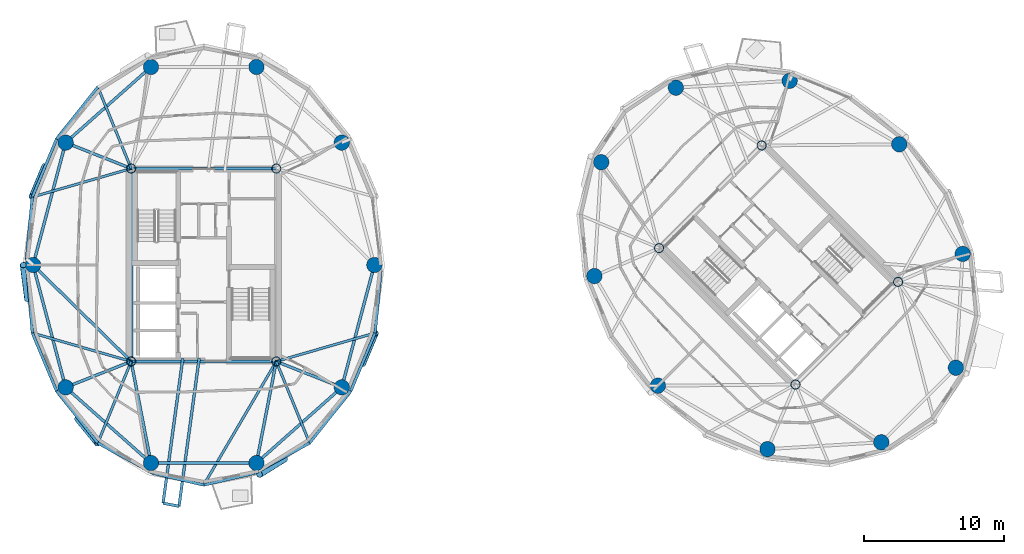
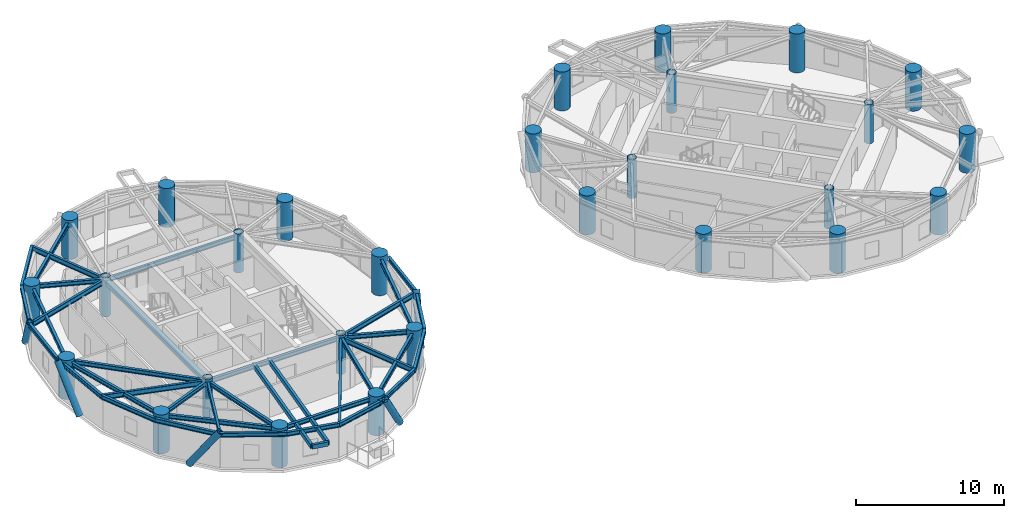
# One storey, part 1 of 17: 39 beams, 28 columns, 5 members.
"""IFC4 building model written with IfcOpenShell, lengths in metres."""

import ifcopenshell
import ifcopenshell.guid

model = None  # the IFC model being written
_history = None  # IfcOwnerHistory: only IFC2X3 demands one
_inside = {}  # id of a spatial element -> (the spatial element, [elements in it])
_under = {}  # id of a project, library or spatial element -> (it, [spatial elements below it])
_declared = {}  # id of a project -> (the project, [libraries it declares])
_typed = {}  # id of a type object -> (the type object, [elements of that type])
_made_of = {}  # id of a material, layer set ... -> (it, [elements and type objects made of it])


def new_model(schema):
    """Start an empty IFC model of exactly this schema.

    Asked for "IFC4X3", IfcOpenShell would pick the latest addendum, in which some entities
    have other attributes; the version numbers below select the first issue.
    IFC2X3 requires an IfcOwnerHistory on every rooted entity: one is made here for all.
    """
    global model, _history
    if schema == "IFC4X3":
        model = ifcopenshell.file(schema_version=(4, 3, 0, 0))
    else:
        model = ifcopenshell.file(schema=schema)
    _inside.clear()
    _under.clear()
    _declared.clear()
    _typed.clear()
    _made_of.clear()
    _history = None
    if model.schema == "IFC2X3":
        org = make("IfcOrganization", Name="unknown")
        user = make(
            "IfcPersonAndOrganization",
            ThePerson=make("IfcPerson", FamilyName="unknown"),
            TheOrganization=org,
        )
        app = make(
            "IfcApplication",
            ApplicationDeveloper=org,
            Version="unknown",
            ApplicationFullName="unknown",
            ApplicationIdentifier="unknown",
        )
        _history = make(
            "IfcOwnerHistory",
            OwningUser=user,
            OwningApplication=app,
            ChangeAction="ADDED",
            CreationDate=0,
        )
    return model


def make(cls, **values):
    """One entity of the class cls with the attributes given. An attribute that is None is left unset."""
    return model.create_entity(
        cls, **{name: value for name, value in values.items() if value is not None}
    )


def rooted(cls, **values):
    """An entity with a GlobalId (a new one), such as an element, a storey or a relation."""
    return make(cls, GlobalId=ifcopenshell.guid.new(), OwnerHistory=_history, **values)


def si_unit(unit_type, name, prefix=None):
    """IfcSIUnit, for example si_unit("LENGTHUNIT", "METRE", prefix="MILLI")."""
    return make("IfcSIUnit", UnitType=unit_type, Prefix=prefix, Name=name)


def assignment(units):
    """IfcUnitAssignment: the units of a project."""
    return None if units is None else make("IfcUnitAssignment", Units=units)


def point(xyz):
    """IfcCartesianPoint."""
    return None if xyz is None else make("IfcCartesianPoint", Coordinates=xyz)


def direction(xyz):
    """IfcDirection."""
    return None if xyz is None else make("IfcDirection", DirectionRatios=xyz)


def frame(location, z_axis=None, x_axis=None):
    """IfcAxis2Placement3D, a coordinate frame: its origin and axes. An axis left out is left unset."""
    return make(
        "IfcAxis2Placement3D",
        Location=point(location),
        Axis=direction(z_axis),
        RefDirection=direction(x_axis),
    )


def frame_2d(location, x_axis=None):
    """IfcAxis2Placement2D, a coordinate frame in the plane: its origin and x axis."""
    return make(
        "IfcAxis2Placement2D", Location=point(location), RefDirection=direction(x_axis)
    )


def origin():
    """The frame at (0, 0, 0) with its axes left unset."""
    return frame((0.0, 0.0, 0.0))


def origin_2d():
    """The frame at (0, 0) in the plane with its x axis left unset."""
    return frame_2d((0.0, 0.0))


def place(relative_to, where):
    """IfcLocalPlacement: puts the frame where relative to a parent placement (None: the world)."""
    return make(
        "IfcLocalPlacement", PlacementRelTo=relative_to, RelativePlacement=where
    )


def context(
    kind, dimensions, precision=None, world=None, true_north=None, identifier=None
):
    """IfcGeometricRepresentationContext, for example the 3D "Model" context."""
    return make(
        "IfcGeometricRepresentationContext",
        ContextIdentifier=identifier,
        ContextType=kind,
        CoordinateSpaceDimension=dimensions,
        Precision=precision,
        WorldCoordinateSystem=world,
        TrueNorth=true_north,
    )


def subcontext(parent, identifier, kind, view, scale=None):
    """IfcGeometricRepresentationSubContext, for example "Body" below "Model"."""
    return make(
        "IfcGeometricRepresentationSubContext",
        ContextIdentifier=identifier,
        ContextType=kind,
        ParentContext=parent,
        TargetScale=scale,
        TargetView=view,
    )


def project(units=None, contexts=None):
    """IfcProject with its units and contexts."""
    return rooted(
        "IfcProject",
        Name="project",
        RepresentationContexts=contexts,
        UnitsInContext=assignment(units),
    )


def spatial(cls, under=None, at=None, **own):
    """A site, building, storey or space (cls), placed at a placement, below another one or the project."""
    s = rooted(cls, ObjectPlacement=at, **own)
    if under is not None:
        _under.setdefault(under.id(), (under, []))[1].append(s)
    return s


def profile(cls, at=None, kind="AREA", **sizes):
    """A parametric profile (cls). Its sizes go by their IFC names, for example OverallWidth=200.0."""
    return make(cls, ProfileType=kind, Position=at, **sizes)


def hollow_rectangle(**sizes):
    """IfcRectangleHollowProfileDef."""
    return profile("IfcRectangleHollowProfileDef", **sizes)


def circle(**sizes):
    """IfcCircleProfileDef."""
    return profile("IfcCircleProfileDef", **sizes)


def hollow_circle(**sizes):
    """IfcCircleHollowProfileDef."""
    return profile("IfcCircleHollowProfileDef", **sizes)


def i_section(**sizes):
    """IfcIShapeProfileDef."""
    return profile("IfcIShapeProfileDef", **sizes)


def extrude(swept, where, along, depth):
    """IfcExtrudedAreaSolid: the profile swept, set in the frame where, extruded along a direction by depth."""
    return make(
        "IfcExtrudedAreaSolid",
        SweptArea=swept,
        Position=where,
        ExtrudedDirection=direction(along),
        Depth=depth,
    )


def shape(context_of_items, identifier, shape_type, items):
    """IfcShapeRepresentation: the items that make up one representation, for example the "Body"."""
    return make(
        "IfcShapeRepresentation",
        ContextOfItems=context_of_items,
        RepresentationIdentifier=identifier,
        RepresentationType=shape_type,
        Items=items,
    )


def material(Name=None, Category=None):
    """IfcMaterial."""
    return make("IfcMaterial", Name=Name, Category=Category)


def material_profile(
    of_material, cross_section, Name=None, Category=None, Priority=None
):
    """IfcMaterialProfile: a cross section and its material."""
    return make(
        "IfcMaterialProfile",
        Name=Name,
        Material=of_material,
        Profile=cross_section,
        Priority=Priority,
        Category=Category,
    )


def profile_set(profiles, Name=None, composite=None):
    """IfcMaterialProfileSet."""
    return make(
        "IfcMaterialProfileSet",
        Name=Name,
        MaterialProfiles=profiles,
        CompositeProfile=composite,
    )


def made_of(thing, what):
    """Note that an element or type object is made of a material, layer set ...; save() writes the relation."""
    if what is not None:
        _made_of.setdefault(what.id(), (what, []))[1].append(thing)
    return thing


def type_object(cls, material=None, **own):
    """A type object (cls), such as IfcWallType, which elements share."""
    return made_of(rooted(cls, **own), material)


def element(
    cls,
    number,
    at=None,
    inside=None,
    cuts=None,
    type_object=None,
    material=None,
    context=None,
    identifier="Body",
    shape_type=None,
    held_by="IfcProductDefinitionShape",
    body=None,
    shapes=None,
    **own,
):
    """One element of the class cls, such as IfcWall. Its Tag is "e" and its number.

    at: its placement. inside: the storey or other place that contains it. cuts: it is an
    opening in that element (IfcRelVoidsElement). A single representation is given by context,
    identifier, shape_type and body (its items); several are given by shapes. held_by: the class
    of the entity that holds the representations. save() writes the other relations.
    """
    e = rooted(cls, Tag="e%d" % number, ObjectPlacement=at, **own)
    if body is not None:
        shapes = [shape(context, identifier, shape_type, body)]
    if shapes is not None:
        e.Representation = make(held_by, Representations=shapes)
    if inside is not None:
        _inside.setdefault(inside.id(), (inside, []))[1].append(e)
    if cuts is not None:
        rooted(
            "IfcRelVoidsElement", RelatingBuildingElement=cuts, RelatedOpeningElement=e
        )
    if type_object is not None:
        _typed.setdefault(type_object.id(), (type_object, []))[1].append(e)
    return made_of(e, material)


def aggregate(whole, parts):
    """IfcRelAggregates: a whole, such as a stair, and the parts it consists of."""
    return rooted("IfcRelAggregates", RelatingObject=whole, RelatedObjects=parts)


def save(model, path):
    """Write the relations noted so far, then the file.

    IfcRelAggregates (storeys below a building ...), IfcRelContainedInSpatialStructure (elements
    in a storey), IfcRelDefinesByType, IfcRelAssociatesMaterial and IfcRelDeclares: one each for
    every whole, place, type object, material and project.
    """
    for whole, parts in _under.values():
        aggregate(whole, parts)
    for where, things in _inside.values():
        rooted(
            "IfcRelContainedInSpatialStructure",
            RelatedElements=things,
            RelatingStructure=where,
        )
    for kind, things in _typed.values():
        rooted("IfcRelDefinesByType", RelatedObjects=things, RelatingType=kind)
    for what, things in _made_of.values():
        rooted("IfcRelAssociatesMaterial", RelatedObjects=things, RelatingMaterial=what)
    for by, libraries in _declared.values():
        rooted("IfcRelDeclares", RelatingContext=by, RelatedDefinitions=libraries)
    model.write(path)


model = new_model("IFC4")

# Units and contexts
model_context = context("Model", 3, precision=1e-05, world=origin(), true_north=direction((0.0, 1.0)))
body_context = subcontext(model_context, "Body", "Model", "MODEL_VIEW")
ifc_project = project(units=[si_unit("LENGTHUNIT", "METRE"), si_unit("AREAUNIT", "SQUARE_METRE"), si_unit("VOLUMEUNIT", "CUBIC_METRE"), si_unit("PLANEANGLEUNIT", "RADIAN"), si_unit("MASSUNIT", "GRAM", prefix="KILO")], contexts=[model_context])

# Site, building, storey
site_placement = place(None, origin())
site = spatial("IfcSite", under=ifc_project, at=site_placement, CompositionType="ELEMENT")
building_placement = place(site_placement, origin())
building = spatial("IfcBuilding", under=site, at=building_placement, Name="Cununo Teusaquillo Station Towers", CompositionType="ELEMENT")
storey_placement = place(building_placement, frame((0.0, 0.0, 222.85009765625)))
storey = spatial("IfcBuildingStorey", under=building, at=storey_placement, Name="L71", CompositionType="ELEMENT", Elevation=222.85009765625)

# Columns
ifc_material_1 = material(Name="Steel EN 10025-2 S355J2", Category="steel")
ifc_material_profile_1 = material_profile(ifc_material_1, hollow_circle(Radius=0.330078125, WallThickness=0.02490234375, at=origin_2d()), Name="CHS 660x25")
ifc_profile_set_1 = profile_set([ifc_material_profile_1], Name="Steel EN 10025-2 S355J2")
column_type_1 = type_object("IfcColumnType", Name="COL-CORE-Z3", PredefinedType="COLUMN", material=ifc_profile_set_1)
for number, where, z_axis, x_axis, name in (
    (1, (11.324951171875, 17.6201171875, 0.0), (0.0, 0.0, 1.0), (1.0, 0.0, 0.0), "L71 Tower A Core Column 1"),
    (2, (11.324951171875, 31.3798828125, 0.0), (0.0, 0.0, 1.0), (1.0, 0.0, 0.0), "L71 Tower A Core Column 2"),
    (3, (21.675048828125, 17.6201171875, 0.0), (0.0, 0.0, 1.0), (1.0, 0.0, 0.0), "L71 Tower A Core Column 3"),
    (4, (21.675048828125, 31.3798828125, 0.0), (0.0, 0.0, 1.0), (1.0, 0.0, 0.0), "L71 Tower A Core Column 4"),
    (5, (58.70556640625, 15.975830078125, 0.0), (0.0, 0.0, 1.0), (0.707106781187, 0.707106781187, 0.0), "L71 Tower B Core Column 1"),
    (6, (48.975830078125, 25.70556640625, 0.0), (0.0, 0.0, 1.0), (0.707106781187, 0.707106781187, 0.0), "L71 Tower B Core Column 2"),
    (7, (66.024169921875, 23.29443359375, 0.0), (0.0, 0.0, 1.0), (0.707106781187, 0.707106781187, 0.0), "L71 Tower B Core Column 3"),
    (8, (56.29443359375, 33.024169921875, 0.0), (0.0, 0.0, 1.0), (0.707106781187, 0.707106781187, 0.0), "L71 Tower B Core Column 4"),
):
    element("IfcColumn", number, at=place(storey_placement, frame(where, z_axis=z_axis, x_axis=x_axis)), inside=storey, type_object=column_type_1, Name=name, PredefinedType="COLUMN", context=body_context, shape_type="SweptSolid", body=[
        extrude(hollow_circle(Radius=0.330078125, WallThickness=0.02490234375, at=origin_2d()), origin(), (0.0, 0.0, 1.0), 3.199951171875),
    ])
ifc_material_2 = material(Name="Concrete C50/60", Category="concrete")
ifc_material_profile_2 = material_profile(ifc_material_2, circle(Radius=0.550048828125, at=origin_2d()), Name="RC-CIRC-1100")
ifc_profile_set_2 = profile_set([ifc_material_profile_2], Name="Concrete C50/60")
column_type_2 = type_object("IfcColumnType", Name="COL-MEGA-Z4", PredefinedType="USERDEFINED", material=ifc_profile_set_2)
for number, where, z_axis, x_axis, name in (
    (9, (28.672119140625, 24.5, 0.0), (0.0, 0.0, 1.0), (1.0, 0.0, 0.0), "L71 Tower A Perimeter Column V00"),
    (10, (26.347412109375, 33.228515625, 0.0), (0.0, 0.0, 1.0), (1.0, 0.0, 0.0), "L71 Tower A Perimeter Column V02"),
    (11, (20.261474609375, 38.623291015625, 0.0), (0.0, 0.0, 1.0), (1.0, 0.0, 0.0), "L71 Tower A Perimeter Column V04"),
    (12, (12.738525390625, 38.623291015625, 0.0), (0.0, 0.0, 1.0), (1.0, 0.0, 0.0), "L71 Tower A Perimeter Column V06"),
    (13, (6.652587890625, 33.228515625, 0.0), (0.0, 0.0, 1.0), (1.0, 0.0, 0.0), "L71 Tower A Perimeter Column V08"),
    (14, (4.327880859375, 24.5, 0.0), (0.0, 0.0, 1.0), (1.0, 0.0, 0.0), "L71 Tower A Perimeter Column V10"),
    (15, (6.652587890625, 15.771484375, 0.0), (0.0, 0.0, 1.0), (1.0, 0.0, 0.0), "L71 Tower A Perimeter Column V12"),
    (16, (12.738525390625, 10.376708984375, 0.0), (0.0, 0.0, 1.0), (1.0, 0.0, 0.0), "L71 Tower A Perimeter Column V14"),
    (17, (20.261474609375, 10.376708984375, 0.0), (0.0, 0.0, 1.0), (1.0, 0.0, 0.0), "L71 Tower A Perimeter Column V16"),
    (18, (26.347412109375, 15.771484375, 0.0), (0.0, 0.0, 1.0), (1.0, 0.0, 0.0), "L71 Tower A Perimeter Column V18"),
    (19, (66.10693359375, 33.10693359375, 0.0), (0.0, 0.0, 1.0), (1.0, 0.0, 0.0), "L71 Tower B Perimeter Column V00"),
    (20, (58.291015625, 37.63525390625, 0.0), (0.0, 0.0, 1.0), (1.0, 0.0, 0.0), "L71 Tower B Perimeter Column V02"),
    (21, (50.173095703125, 37.146240234375, 0.0), (0.0, 0.0, 1.0), (1.0, 0.0, 0.0), "L71 Tower B Perimeter Column V04"),
    (22, (44.853759765625, 31.826904296875, 0.0), (0.0, 0.0, 1.0), (1.0, 0.0, 0.0), "L71 Tower B Perimeter Column V06"),
    (23, (44.36474609375, 23.708984375, 0.0), (0.0, 0.0, 1.0), (1.0, 0.0, 0.0), "L71 Tower B Perimeter Column V08"),
    (24, (48.89306640625, 15.89306640625, 0.0), (0.0, 0.0, 1.0), (1.0, 0.0, 0.0), "L71 Tower B Perimeter Column V10"),
    (25, (56.708984375, 11.36474609375, 0.0), (0.0, 0.0, 1.0), (1.0, 0.0, 0.0), "L71 Tower B Perimeter Column V12"),
    (26, (64.826904296875, 11.853759765625, 0.0), (0.0, 0.0, 1.0), (1.0, 0.0, 0.0), "L71 Tower B Perimeter Column V14"),
    (27, (70.146240234375, 17.173095703125, 0.0), (0.0, 0.0, 1.0), (1.0, 0.0, 0.0), "L71 Tower B Perimeter Column V16"),
    (28, (70.63525390625, 25.291015625, 0.0), (0.0, 0.0, 1.0), (1.0, 0.0, 0.0), "L71 Tower B Perimeter Column V18"),
):
    element("IfcColumn", number, at=place(storey_placement, frame(where, z_axis=z_axis, x_axis=x_axis)), inside=storey, type_object=column_type_2, Name=name, ObjectType="MEGA COLUMN", PredefinedType="USERDEFINED", context=body_context, shape_type="SweptSolid", body=[
        extrude(circle(Radius=0.550048828125, at=origin_2d()), origin(), (0.0, 0.0, 1.0), 3.199951171875),
    ])

# Beams
ifc_material_3 = material(Name="Steel EN 10025-2 S355J2", Category="steel")
ifc_material_profile_3 = material_profile(ifc_material_3, hollow_rectangle(XDim=0.199951171875, YDim=0.35009765625, WallThickness=0.013916015625, at=origin_2d()), Name="RHS 350x200x14")
ifc_profile_set_3 = profile_set([ifc_material_profile_3], Name="Steel EN 10025-2 S355J2")
beam_type_1 = type_object("IfcBeamType", Name="BM-BAL-CANT", PredefinedType="BEAM", material=ifc_profile_set_3)
beam_1_placement = place(storey_placement, frame((15.0107421875, 17.85009765625, 2.81494140625), z_axis=(-0.135018196505, -0.990843119072, 0.0), x_axis=(0.990843119072, -0.135018196505, 0.0)))
element("IfcBeam", 29, at=beam_1_placement, inside=storey, type_object=beam_type_1, Name="L71 Tower A Balcony Cantilever Bracket 2A", PredefinedType="BEAM", context=body_context, shape_type="SweptSolid", body=[
    extrude(hollow_rectangle(XDim=0.199951171875, YDim=0.35009765625, WallThickness=0.013916015625, at=origin_2d()), origin(), (0.0, 0.0, 1.0), 10.43505859375),
])
beam_2_placement = place(storey_placement, frame((16.177001953125, 17.85009765625, 2.81494140625), z_axis=(-0.135006880627, -0.990844660975, 0.0), x_axis=(0.990844660975, -0.135006880627, 0.0)))
element("IfcBeam", 30, at=beam_2_placement, inside=storey, type_object=beam_type_1, Name="L71 Tower A Balcony Cantilever Bracket 2B", PredefinedType="BEAM", context=body_context, shape_type="SweptSolid", body=[
    extrude(hollow_rectangle(XDim=0.199951171875, YDim=0.35009765625, WallThickness=0.013916015625, at=origin_2d()), origin(), (0.0, 0.0, 1.0), 10.65673828125),
])
ifc_material_4 = material(Name="Steel EN 10025-2 S355J2", Category="steel")
ifc_material_profile_4 = material_profile(ifc_material_4, hollow_rectangle(XDim=0.25, YDim=0.449951171875, WallThickness=0.01611328125, at=origin_2d()), Name="RHS 450x250x16")
ifc_profile_set_4 = profile_set([ifc_material_profile_4], Name="Steel EN 10025-2 S355J2")
beam_type_2 = type_object("IfcBeamType", Name="BM-COUP-1", PredefinedType="USERDEFINED", material=ifc_profile_set_4)
beam_3_placement = place(storey_placement, frame((11.324951171875, 17.6201171875, 2.764892578125), z_axis=(0.0, 1.0, 0.0), x_axis=(-1.0, 0.0, 0.0)))
element("IfcBeam", 31, at=beam_3_placement, inside=storey, type_object=beam_type_2, Name="L71 Tower A Core Beam 1", ObjectType="COUPLING BEAM", PredefinedType="USERDEFINED", context=body_context, shape_type="SweptSolid", body=[
    extrude(hollow_rectangle(XDim=0.25, YDim=0.449951171875, WallThickness=0.01611328125, at=origin_2d()), origin(), (0.0, 0.0, 1.0), 13.759765625),
])
ifc_material_5 = material(Name="Steel ASTM A572 Grade 50", Category="steel")
ifc_material_profile_5 = material_profile(ifc_material_5, i_section(OverallWidth=0.180908203125, OverallDepth=0.4169921875, WebThickness=0.010986328125, FlangeThickness=0.018310546875, FilletRadius=0.012939453125, at=origin_2d()), Name="W16X57")
ifc_profile_set_5 = profile_set([ifc_material_profile_5], Name="Steel ASTM A572 Grade 50")
beam_type_3 = type_object("IfcBeamType", Name="BM-JOIST-1", PredefinedType="JOIST", material=ifc_profile_set_5)
beam_4_placement = place(storey_placement, frame((11.324951171875, 31.3798828125, 2.781494140625), z_axis=(-0.378576847217, 0.925569862707, 0.0), x_axis=(-0.925569862707, -0.378576847217, 0.0)))
element("IfcBeam", 32, at=beam_4_placement, inside=storey, type_object=beam_type_3, Name="L71 Tower A Radial Spandrel Joist V07", PredefinedType="JOIST", context=body_context, shape_type="SweptSolid", body=[
    extrude(i_section(OverallWidth=0.180908203125, OverallDepth=0.4169921875, WebThickness=0.010986328125, FlangeThickness=0.018310546875, FilletRadius=0.012939453125, at=origin_2d()), origin(), (0.0, 0.0, 1.0), 6.28125),
])
for number, where, z_axis, x_axis, name in (
    (33, (11.324951171875, 31.3798828125, 2.781494140625), (-0.960861603375, -0.277028841748, 0.0), (0.277028841748, -0.960861603375, 0.0), "L71 Tower A Radial Spandrel Joist V09"),
    (34, (11.324951171875, 17.6201171875, 2.781494140625), (-0.960861603375, 0.277028841748, 0.0), (-0.277028841748, -0.960861603375, 0.0), "L71 Tower A Radial Spandrel Joist V11"),
):
    element("IfcBeam", number, at=place(storey_placement, frame(where, z_axis=z_axis, x_axis=x_axis)), inside=storey, type_object=beam_type_3, Name=name, PredefinedType="JOIST", context=body_context, shape_type="SweptSolid", body=[
        extrude(i_section(OverallWidth=0.180908203125, OverallDepth=0.4169921875, WebThickness=0.010986328125, FlangeThickness=0.018310546875, FilletRadius=0.012939453125, at=origin_2d()), origin(), (0.0, 0.0, 1.0), 7.333251953125),
    ])
beam_5_placement = place(storey_placement, frame((11.324951171875, 17.6201171875, 2.781494140625), z_axis=(-0.378576847217, -0.925569862707, 0.0), x_axis=(0.925569862707, -0.378576847217, 0.0)))
element("IfcBeam", 35, at=beam_5_placement, inside=storey, type_object=beam_type_3, Name="L71 Tower A Radial Spandrel Joist V13", PredefinedType="JOIST", context=body_context, shape_type="SweptSolid", body=[
    extrude(i_section(OverallWidth=0.180908203125, OverallDepth=0.4169921875, WebThickness=0.010986328125, FlangeThickness=0.018310546875, FilletRadius=0.012939453125, at=origin_2d()), origin(), (0.0, 0.0, 1.0), 6.28125),
])
beam_6_placement = place(storey_placement, frame((21.675048828125, 17.6201171875, 2.781494140625), z_axis=(-0.506486432091, -0.862247930765, 0.0), x_axis=(0.862247930765, -0.506486432091, 0.0)))
element("IfcBeam", 36, at=beam_6_placement, inside=storey, type_object=beam_type_3, Name="L71 Tower A Radial Spandrel Joist V15", PredefinedType="JOIST", context=body_context, shape_type="SweptSolid", body=[
    extrude(i_section(OverallWidth=0.180908203125, OverallDepth=0.4169921875, WebThickness=0.010986328125, FlangeThickness=0.018310546875, FilletRadius=0.012939453125, at=origin_2d()), origin(), (0.0, 0.0, 1.0), 10.217529296875),
])
beam_7_placement = place(storey_placement, frame((21.675048828125, 17.6201171875, 2.781494140625), z_axis=(0.378576847217, -0.925569862707, 0.0), x_axis=(0.925569862707, 0.378576847217, 0.0)))
element("IfcBeam", 37, at=beam_7_placement, inside=storey, type_object=beam_type_3, Name="L71 Tower A Radial Spandrel Joist V17", PredefinedType="JOIST", context=body_context, shape_type="SweptSolid", body=[
    extrude(i_section(OverallWidth=0.180908203125, OverallDepth=0.4169921875, WebThickness=0.010986328125, FlangeThickness=0.018310546875, FilletRadius=0.012939453125, at=origin_2d()), origin(), (0.0, 0.0, 1.0), 6.28125),
])
beam_8_placement = place(storey_placement, frame((21.675048828125, 17.6201171875, 2.781494140625), z_axis=(0.960861603375, 0.277028841748, 0.0), x_axis=(-0.277028841748, 0.960861603375, 0.0)))
element("IfcBeam", 38, at=beam_8_placement, inside=storey, type_object=beam_type_3, Name="L71 Tower A Radial Spandrel Joist V19", PredefinedType="JOIST", context=body_context, shape_type="SweptSolid", body=[
    extrude(i_section(OverallWidth=0.180908203125, OverallDepth=0.4169921875, WebThickness=0.010986328125, FlangeThickness=0.018310546875, FilletRadius=0.012939453125, at=origin_2d()), origin(), (0.0, 0.0, 1.0), 7.333251953125),
])
ifc_material_6 = material(Name="Steel ASTM A572 Grade 50", Category="steel")
ifc_material_profile_6 = material_profile(ifc_material_6, i_section(OverallWidth=0.2041015625, OverallDepth=0.35009765625, WebThickness=0.008544921875, FlangeThickness=0.01513671875, FilletRadius=0.011962890625, at=origin_2d()), Name="W14X48")
ifc_profile_set_6 = profile_set([ifc_material_profile_6], Name="Steel ASTM A572 Grade 50")
beam_type_4 = type_object("IfcBeamType", Name="BM-LINTEL-1", PredefinedType="LINTEL", material=ifc_profile_set_6)
for number, where, z_axis, x_axis, name in (
    (39, (11.324951171875, 17.6201171875, 2.81494140625), (1.0, 0.0, 0.0), (0.0, 1.0, 0.0), "L71 Tower A Core Beam 3"),
    (40, (11.324951171875, 31.3798828125, 2.81494140625), (1.0, 0.0, 0.0), (0.0, 1.0, 0.0), "L71 Tower A Core Beam 4"),
):
    element("IfcBeam", number, at=place(storey_placement, frame(where, z_axis=z_axis, x_axis=x_axis)), inside=storey, type_object=beam_type_4, Name=name, PredefinedType="LINTEL", context=body_context, shape_type="SweptSolid", body=[
        extrude(i_section(OverallWidth=0.2041015625, OverallDepth=0.35009765625, WebThickness=0.008544921875, FlangeThickness=0.01513671875, FilletRadius=0.011962890625, at=origin_2d()), origin(), (0.0, 0.0, 1.0), 10.35009765625),
    ])
ifc_material_7 = material(Name="Steel ASTM A572 Grade 50", Category="steel")
ifc_material_profile_7 = material_profile(ifc_material_7, i_section(OverallWidth=0.2041015625, OverallDepth=0.35009765625, WebThickness=0.008544921875, FlangeThickness=0.01513671875, FilletRadius=0.011962890625, at=origin_2d()), Name="W14X48")
ifc_profile_set_7 = profile_set([ifc_material_profile_7], Name="Steel ASTM A572 Grade 50")
beam_type_5 = type_object("IfcBeamType", Name="BM-RAD-G3", PredefinedType="BEAM", material=ifc_profile_set_7)
beam_9_placement = place(storey_placement, frame((11.324951171875, 31.3798828125, 2.81494140625), z_axis=(-0.929851670487, 0.36793460138, 0.0), x_axis=(-0.36793460138, -0.929851670487, 0.0)))
element("IfcBeam", 41, at=beam_9_placement, inside=storey, type_object=beam_type_5, Name="L71 Tower A Continuous Overhanging Radial Girder 05", PredefinedType="BEAM", context=body_context, shape_type="SweptSolid", body=[
    extrude(i_section(OverallWidth=0.2041015625, OverallDepth=0.35009765625, WebThickness=0.008544921875, FlangeThickness=0.01513671875, FilletRadius=0.011962890625, at=origin_2d()), origin(), (0.0, 0.0, 1.0), 5.71630859375),
])
beam_10_placement = place(storey_placement, frame((11.324951171875, 17.6201171875, 2.81494140625), z_axis=(-0.713052701438, 0.701110437073, 0.0), x_axis=(-0.701110437073, -0.713052701438, 0.0)))
element("IfcBeam", 42, at=beam_10_placement, inside=storey, type_object=beam_type_5, Name="L71 Tower A Radial Girder 06A", PredefinedType="BEAM", context=body_context, shape_type="SweptSolid", body=[
    extrude(i_section(OverallWidth=0.2041015625, OverallDepth=0.35009765625, WebThickness=0.008544921875, FlangeThickness=0.01513671875, FilletRadius=0.011962890625, at=origin_2d()), origin(), (0.0, 0.0, 1.0), 9.812744140625),
])
beam_11_placement = place(storey_placement, frame((11.324951171875, 17.6201171875, 2.81494140625), z_axis=(-0.929851670487, -0.36793460138, 0.0), x_axis=(0.36793460138, -0.929851670487, 0.0)))
element("IfcBeam", 43, at=beam_11_placement, inside=storey, type_object=beam_type_5, Name="L71 Tower A Continuous Overhanging Radial Girder 07", PredefinedType="BEAM", context=body_context, shape_type="SweptSolid", body=[
    extrude(i_section(OverallWidth=0.2041015625, OverallDepth=0.35009765625, WebThickness=0.008544921875, FlangeThickness=0.01513671875, FilletRadius=0.011962890625, at=origin_2d()), origin(), (0.0, 0.0, 1.0), 5.71630859375),
])
for number, where, z_axis, x_axis, name in (
    (44, (11.324951171875, 17.6201171875, 2.81494140625), (0.191548487699, -0.981483151593, 0.0), (0.981483151593, 0.191548487699, 0.0), "L71 Tower A Continuous Overhanging Radial Girder 08"),
    (45, (21.675048828125, 17.6201171875, 2.81494140625), (-0.191548487699, -0.981483151593, 0.0), (0.981483151593, -0.191548487699, 0.0), "L71 Tower A Continuous Overhanging Radial Girder 09"),
):
    element("IfcBeam", number, at=place(storey_placement, frame(where, z_axis=z_axis, x_axis=x_axis)), inside=storey, type_object=beam_type_5, Name=name, PredefinedType="BEAM", context=body_context, shape_type="SweptSolid", body=[
        extrude(i_section(OverallWidth=0.2041015625, OverallDepth=0.35009765625, WebThickness=0.008544921875, FlangeThickness=0.01513671875, FilletRadius=0.011962890625, at=origin_2d()), origin(), (0.0, 0.0, 1.0), 8.1240234375),
    ])
beam_12_placement = place(storey_placement, frame((21.675048828125, 17.6201171875, 2.81494140625), z_axis=(0.929851670487, -0.36793460138, 0.0), x_axis=(0.36793460138, 0.929851670487, 0.0)))
element("IfcBeam", 46, at=beam_12_placement, inside=storey, type_object=beam_type_5, Name="L71 Tower A Continuous Overhanging Radial Girder 10", PredefinedType="BEAM", context=body_context, shape_type="SweptSolid", body=[
    extrude(i_section(OverallWidth=0.2041015625, OverallDepth=0.35009765625, WebThickness=0.008544921875, FlangeThickness=0.01513671875, FilletRadius=0.011962890625, at=origin_2d()), origin(), (0.0, 0.0, 1.0), 5.71630859375),
])
ifc_material_8 = material(Name="Steel ASTM A572 Grade 50", Category="steel")
ifc_material_profile_8 = material_profile(ifc_material_8, i_section(OverallWidth=0.2041015625, OverallDepth=0.35009765625, WebThickness=0.008544921875, FlangeThickness=0.01513671875, FilletRadius=0.011962890625, at=origin_2d()), Name="W14X48")
ifc_profile_set_8 = profile_set([ifc_material_profile_8], Name="Steel ASTM A572 Grade 50")
beam_type_6 = type_object("IfcBeamType", Name="BM-RING-Z4", PredefinedType="SPANDREL", material=ifc_profile_set_8)
beam_13_placement = place(storey_placement, frame((12.738525390625, 38.623291015625, 2.81494140625), z_axis=(-0.74832120039, -0.66333655187, 0.0), x_axis=(0.66333655187, -0.74832120039, 0.0)))
element("IfcBeam", 47, at=beam_13_placement, inside=storey, type_object=beam_type_6, Name="L71 Tower A Structural Column Ring Girder 04", PredefinedType="SPANDREL", context=body_context, shape_type="SweptSolid", body=[
    extrude(i_section(OverallWidth=0.2041015625, OverallDepth=0.35009765625, WebThickness=0.008544921875, FlangeThickness=0.01513671875, FilletRadius=0.011962890625, at=origin_2d()), origin(), (0.0, 0.0, 1.0), 8.1328125),
])
for number, where, z_axis, x_axis, name in (
    (48, (6.652587890625, 33.228515625, 2.81494140625), (-0.257363196347, -0.966314744359, 0.0), (0.966314744359, -0.257363196347, 0.0), "L71 Tower A Structural Column Ring Girder 05"),
    (49, (4.327880859375, 24.5, 2.81494140625), (0.257363196347, -0.966314744359, 0.0), (0.966314744359, 0.257363196347, 0.0), "L71 Tower A Structural Column Ring Girder 06"),
):
    element("IfcBeam", number, at=place(storey_placement, frame(where, z_axis=z_axis, x_axis=x_axis)), inside=storey, type_object=beam_type_6, Name=name, PredefinedType="SPANDREL", context=body_context, shape_type="SweptSolid", body=[
        extrude(i_section(OverallWidth=0.2041015625, OverallDepth=0.35009765625, WebThickness=0.008544921875, FlangeThickness=0.01513671875, FilletRadius=0.011962890625, at=origin_2d()), origin(), (0.0, 0.0, 1.0), 9.03271484375),
    ])
beam_14_placement = place(storey_placement, frame((6.652587890625, 15.771484375, 2.81494140625), z_axis=(0.74832120039, -0.66333655187, 0.0), x_axis=(0.66333655187, 0.74832120039, 0.0)))
element("IfcBeam", 50, at=beam_14_placement, inside=storey, type_object=beam_type_6, Name="L71 Tower A Structural Column Ring Girder 07", PredefinedType="SPANDREL", context=body_context, shape_type="SweptSolid", body=[
    extrude(i_section(OverallWidth=0.2041015625, OverallDepth=0.35009765625, WebThickness=0.008544921875, FlangeThickness=0.01513671875, FilletRadius=0.011962890625, at=origin_2d()), origin(), (0.0, 0.0, 1.0), 8.1328125),
])
beam_15_placement = place(storey_placement, frame((12.738525390625, 10.376708984375, 2.81494140625), z_axis=(1.0, 0.0, 0.0), x_axis=(0.0, 1.0, 0.0)))
element("IfcBeam", 51, at=beam_15_placement, inside=storey, type_object=beam_type_6, Name="L71 Tower A Structural Column Ring Girder 08", PredefinedType="SPANDREL", context=body_context, shape_type="SweptSolid", body=[
    extrude(i_section(OverallWidth=0.2041015625, OverallDepth=0.35009765625, WebThickness=0.008544921875, FlangeThickness=0.01513671875, FilletRadius=0.011962890625, at=origin_2d()), origin(), (0.0, 0.0, 1.0), 7.52294921875),
])
beam_16_placement = place(storey_placement, frame((20.261474609375, 10.376708984375, 2.81494140625), z_axis=(0.74832120039, 0.66333655187, 0.0), x_axis=(-0.66333655187, 0.74832120039, 0.0)))
element("IfcBeam", 52, at=beam_16_placement, inside=storey, type_object=beam_type_6, Name="L71 Tower A Structural Column Ring Girder 09", PredefinedType="SPANDREL", context=body_context, shape_type="SweptSolid", body=[
    extrude(i_section(OverallWidth=0.2041015625, OverallDepth=0.35009765625, WebThickness=0.008544921875, FlangeThickness=0.01513671875, FilletRadius=0.011962890625, at=origin_2d()), origin(), (0.0, 0.0, 1.0), 8.1328125),
])
beam_17_placement = place(storey_placement, frame((26.347412109375, 15.771484375, 2.81494140625), z_axis=(0.257363196347, 0.966314744359, 0.0), x_axis=(-0.966314744359, 0.257363196347, 0.0)))
element("IfcBeam", 53, at=beam_17_placement, inside=storey, type_object=beam_type_6, Name="L71 Tower A Structural Column Ring Girder 10", PredefinedType="SPANDREL", context=body_context, shape_type="SweptSolid", body=[
    extrude(i_section(OverallWidth=0.2041015625, OverallDepth=0.35009765625, WebThickness=0.008544921875, FlangeThickness=0.01513671875, FilletRadius=0.011962890625, at=origin_2d()), origin(), (0.0, 0.0, 1.0), 9.03271484375),
])
beam_18_placement = place(storey_placement, frame((8.947021484375, 37.193603515625, 2.81494140625), z_axis=(-0.620710872531, -0.784039547932, 0.0), x_axis=(0.784039547932, -0.620710872531, 0.0)))
element("IfcBeam", 54, at=beam_18_placement, inside=storey, type_object=beam_type_6, Name="L71 Tower A Spandrel Ring Beam 08", PredefinedType="SPANDREL", context=body_context, shape_type="SweptSolid", body=[
    extrude(i_section(OverallWidth=0.2041015625, OverallDepth=0.35009765625, WebThickness=0.008544921875, FlangeThickness=0.01513671875, FilletRadius=0.011962890625, at=origin_2d()), origin(), (0.0, 0.0, 1.0), 4.732421875),
])
beam_19_placement = place(storey_placement, frame((6.009521484375, 33.483154296875, 2.81494140625), z_axis=(-0.386115454066, -0.922450462698, 0.0), x_axis=(0.922450462698, -0.386115454066, 0.0)))
element("IfcBeam", 55, at=beam_19_placement, inside=storey, type_object=beam_type_6, Name="L71 Tower A Spandrel Ring Beam 09", PredefinedType="SPANDREL", context=body_context, shape_type="SweptSolid", body=[
    extrude(i_section(OverallWidth=0.2041015625, OverallDepth=0.35009765625, WebThickness=0.008544921875, FlangeThickness=0.01513671875, FilletRadius=0.011962890625, at=origin_2d()), origin(), (0.0, 0.0, 1.0), 4.482421875),
])
beam_20_placement = place(storey_placement, frame((4.27880859375, 29.348388671875, 2.81494140625), z_axis=(-0.093902932611, -0.995581357422, 0.0), x_axis=(0.995581357422, -0.093902932611, 0.0)))
element("IfcBeam", 56, at=beam_20_placement, inside=storey, type_object=beam_type_6, Name="L71 Tower A Spandrel Ring Beam 10", PredefinedType="SPANDREL", context=body_context, shape_type="SweptSolid", body=[
    extrude(i_section(OverallWidth=0.2041015625, OverallDepth=0.35009765625, WebThickness=0.008544921875, FlangeThickness=0.01513671875, FilletRadius=0.011962890625, at=origin_2d()), origin(), (0.0, 0.0, 1.0), 4.412109375),
])
beam_21_placement = place(storey_placement, frame((3.864501953125, 24.955810546875, 2.81494140625), z_axis=(0.077871988965, -0.996963366095, 0.0), x_axis=(0.996963366095, 0.077871988965, 0.0)))
element("IfcBeam", 57, at=beam_21_placement, inside=storey, type_object=beam_type_6, Name="L71 Tower A Spandrel Ring Beam 11", PredefinedType="SPANDREL", context=body_context, shape_type="SweptSolid", body=[
    extrude(i_section(OverallWidth=0.2041015625, OverallDepth=0.35009765625, WebThickness=0.008544921875, FlangeThickness=0.01513671875, FilletRadius=0.011962890625, at=origin_2d()), origin(), (0.0, 0.0, 1.0), 5.3203125),
])
beam_22_placement = place(storey_placement, frame((4.27880859375, 19.651611328125, 2.81494140625), z_axis=(0.386115454066, -0.922450462698, 0.0), x_axis=(0.922450462698, 0.386115454066, 0.0)))
element("IfcBeam", 58, at=beam_22_placement, inside=storey, type_object=beam_type_6, Name="L71 Tower A Spandrel Ring Beam 12", PredefinedType="SPANDREL", context=body_context, shape_type="SweptSolid", body=[
    extrude(i_section(OverallWidth=0.2041015625, OverallDepth=0.35009765625, WebThickness=0.008544921875, FlangeThickness=0.01513671875, FilletRadius=0.011962890625, at=origin_2d()), origin(), (0.0, 0.0, 1.0), 4.482421875),
])
beam_23_placement = place(storey_placement, frame((6.009521484375, 15.516845703125, 2.81494140625), z_axis=(0.620710872531, -0.784039547932, 0.0), x_axis=(0.784039547932, 0.620710872531, 0.0)))
element("IfcBeam", 59, at=beam_23_placement, inside=storey, type_object=beam_type_6, Name="L71 Tower A Spandrel Ring Beam 13", PredefinedType="SPANDREL", context=body_context, shape_type="SweptSolid", body=[
    extrude(i_section(OverallWidth=0.2041015625, OverallDepth=0.35009765625, WebThickness=0.008544921875, FlangeThickness=0.01513671875, FilletRadius=0.011962890625, at=origin_2d()), origin(), (0.0, 0.0, 1.0), 4.732421875),
])
beam_24_placement = place(storey_placement, frame((8.947021484375, 11.806396484375, 2.81494140625), z_axis=(0.876576300909, -0.481262910149, 0.0), x_axis=(0.481262910149, 0.876576300909, 0.0)))
element("IfcBeam", 60, at=beam_24_placement, inside=storey, type_object=beam_type_6, Name="L71 Tower A Spandrel Ring Beam 14", PredefinedType="SPANDREL", context=body_context, shape_type="SweptSolid", body=[
    extrude(i_section(OverallWidth=0.2041015625, OverallDepth=0.35009765625, WebThickness=0.008544921875, FlangeThickness=0.01513671875, FilletRadius=0.011962890625, at=origin_2d()), origin(), (0.0, 0.0, 1.0), 4.488037109375),
])
for number, where, z_axis, x_axis, name in (
    (61, (12.881103515625, 9.646484375, 2.81494140625), (0.97431470066, -0.225190728224, 0.0), (0.225190728224, 0.97431470066, 0.0), "L71 Tower A Spandrel Ring Beam 15"),
    (62, (16.5, 8.81005859375, 2.81494140625), (0.97431470066, 0.225190728224, 0.0), (-0.225190728224, 0.97431470066, 0.0), "L71 Tower A Spandrel Ring Beam 16"),
):
    element("IfcBeam", number, at=place(storey_placement, frame(where, z_axis=z_axis, x_axis=x_axis)), inside=storey, type_object=beam_type_6, Name=name, PredefinedType="SPANDREL", context=body_context, shape_type="SweptSolid", body=[
        extrude(i_section(OverallWidth=0.2041015625, OverallDepth=0.35009765625, WebThickness=0.008544921875, FlangeThickness=0.01513671875, FilletRadius=0.011962890625, at=origin_2d()), origin(), (0.0, 0.0, 1.0), 3.71435546875),
    ])
beam_25_placement = place(storey_placement, frame((20.118896484375, 9.646484375, 2.81494140625), z_axis=(0.876576300909, 0.481262910149, 0.0), x_axis=(-0.481262910149, 0.876576300909, 0.0)))
element("IfcBeam", 63, at=beam_25_placement, inside=storey, type_object=beam_type_6, Name="L71 Tower A Spandrel Ring Beam 17", PredefinedType="SPANDREL", context=body_context, shape_type="SweptSolid", body=[
    extrude(i_section(OverallWidth=0.2041015625, OverallDepth=0.35009765625, WebThickness=0.008544921875, FlangeThickness=0.01513671875, FilletRadius=0.011962890625, at=origin_2d()), origin(), (0.0, 0.0, 1.0), 4.488037109375),
])
beam_26_placement = place(storey_placement, frame((24.052978515625, 11.806396484375, 2.81494140625), z_axis=(0.620710872531, 0.784039547932, 0.0), x_axis=(-0.784039547932, 0.620710872531, 0.0)))
element("IfcBeam", 64, at=beam_26_placement, inside=storey, type_object=beam_type_6, Name="L71 Tower A Spandrel Ring Beam 18", PredefinedType="SPANDREL", context=body_context, shape_type="SweptSolid", body=[
    extrude(i_section(OverallWidth=0.2041015625, OverallDepth=0.35009765625, WebThickness=0.008544921875, FlangeThickness=0.01513671875, FilletRadius=0.011962890625, at=origin_2d()), origin(), (0.0, 0.0, 1.0), 4.732421875),
])
beam_27_placement = place(storey_placement, frame((26.990478515625, 15.516845703125, 2.81494140625), z_axis=(0.386115454066, 0.922450462698, 0.0), x_axis=(-0.922450462698, 0.386115454066, 0.0)))
element("IfcBeam", 65, at=beam_27_placement, inside=storey, type_object=beam_type_6, Name="L71 Tower A Spandrel Ring Beam 19", PredefinedType="SPANDREL", context=body_context, shape_type="SweptSolid", body=[
    extrude(i_section(OverallWidth=0.2041015625, OverallDepth=0.35009765625, WebThickness=0.008544921875, FlangeThickness=0.01513671875, FilletRadius=0.011962890625, at=origin_2d()), origin(), (0.0, 0.0, 1.0), 4.482421875),
])
beam_28_placement = place(storey_placement, frame((28.72119140625, 19.651611328125, 2.81494140625), z_axis=(0.093902932611, 0.995581357422, 0.0), x_axis=(-0.995581357422, 0.093902932611, 0.0)))
element("IfcBeam", 66, at=beam_28_placement, inside=storey, type_object=beam_type_6, Name="L71 Tower A Spandrel Ring Beam 20", PredefinedType="SPANDREL", context=body_context, shape_type="SweptSolid", body=[
    extrude(i_section(OverallWidth=0.2041015625, OverallDepth=0.35009765625, WebThickness=0.008544921875, FlangeThickness=0.01513671875, FilletRadius=0.011962890625, at=origin_2d()), origin(), (0.0, 0.0, 1.0), 4.412109375),
])
ifc_material_9 = material(Name="Steel EN 10025-2 S355J2", Category="steel")
ifc_material_profile_9 = material_profile(ifc_material_9, hollow_rectangle(XDim=0.199951171875, YDim=0.35009765625, WallThickness=0.013916015625, at=origin_2d()), Name="RHS 350x200x14")
ifc_profile_set_9 = profile_set([ifc_material_profile_9], Name="Steel EN 10025-2 S355J2")
beam_type_7 = type_object("IfcBeamType", Name="BM-STAIR-TRIM", PredefinedType="BEAM", material=ifc_profile_set_9)
beam_29_placement = place(storey_placement, frame((13.601806640625, 7.510498046875, 2.81494140625), z_axis=(0.981857200028, -0.189621830897, 0.0), x_axis=(0.189621830897, 0.981857200028, 0.0)))
element("IfcBeam", 67, at=beam_29_placement, inside=storey, type_object=beam_type_7, Name="L71 Tower A Balcony Edge Trimmer Beam 2", PredefinedType="BEAM", context=body_context, shape_type="SweptSolid", body=[
    extrude(hollow_rectangle(XDim=0.199951171875, YDim=0.35009765625, WallThickness=0.013916015625, at=origin_2d()), origin(), (0.0, 0.0, 1.0), 1.157470703125),
])

# Members
ifc_material_10 = material(Name="Steel EN 10025-2 S355J2", Category="steel")
ifc_material_profile_10 = material_profile(ifc_material_10, hollow_circle(Radius=0.25390625, WallThickness=0.01806640625, at=origin_2d()), Name="CHS 508x18")
ifc_profile_set_10 = profile_set([ifc_material_profile_10], Name="Steel EN 10025-2 S355J2")
member_type = type_object("IfcMemberType", Name="MBR-DIAG-Z4", PredefinedType="BRACE", material=ifc_profile_set_10)
member_1_placement = place(storey_placement, frame((5.19140625, 31.535400390625, -0.14013671875), z_axis=(-0.229186377143, -0.549237979254, 0.803623821621), x_axis=(0.922875628603, -0.385098135713, 0.0)))
element("IfcMember", 68, at=member_1_placement, inside=storey, type_object=member_type, Name="L71 Tower A Folded-Zigzag Diagrid Tube C08", PredefinedType="BRACE", context=body_context, shape_type="SweptSolid", body=[
    extrude(hollow_circle(Radius=0.25390625, WallThickness=0.01806640625, at=origin_2d()), origin(), (0.0, 0.0, 1.0), 3.98193359375),
])
member_2_placement = place(storey_placement, frame((3.964599609375, 22.07568359375, -0.14013671875), z_axis=(-0.078148504996, 0.60202843647, 0.7946411598), x_axis=(-0.991679857004, -0.128728634006, 0.0)))
element("IfcMember", 69, at=member_2_placement, inside=storey, type_object=member_type, Name="L71 Tower A Folded-Zigzag Diagrid Tube C10", PredefinedType="BRACE", context=body_context, shape_type="SweptSolid", body=[
    extrude(hollow_circle(Radius=0.25390625, WallThickness=0.01806640625, at=origin_2d()), origin(), (0.0, 0.0, 1.0), 4.02685546875),
])
member_3_placement = place(storey_placement, frame((7.525390625, 13.5419921875, -0.14013671875), z_axis=(0.363767976022, -0.444105536929, 0.818805918206), x_axis=(0.773608092629, 0.633664358331, 0.0)))
element("IfcMember", 70, at=member_3_placement, inside=storey, type_object=member_type, Name="L71 Tower A Folded-Zigzag Diagrid Tube C12", PredefinedType="BRACE", context=body_context, shape_type="SweptSolid", body=[
    extrude(hollow_circle(Radius=0.25390625, WallThickness=0.01806640625, at=origin_2d()), origin(), (0.0, 0.0, 1.0), 3.907958984375),
])
member_4_placement = place(storey_placement, frame((22.261962890625, 10.692138671875, -0.14013671875), z_axis=(-0.46730812708, -0.29072986532, 0.834924703058), x_axis=(0.528249968439, -0.849088906325, 0.0)))
element("IfcMember", 71, at=member_4_placement, inside=storey, type_object=member_type, Name="L71 Tower A Folded-Zigzag Diagrid Tube C16", PredefinedType="BRACE", context=body_context, shape_type="SweptSolid", body=[
    extrude(hollow_circle(Radius=0.25390625, WallThickness=0.01806640625, at=origin_2d()), origin(), (0.0, 0.0, 1.0), 3.83251953125),
])
member_5_placement = place(storey_placement, frame((27.80859375, 17.464599609375, -0.14013671875), z_axis=(0.229186377143, 0.549237979254, 0.803623821621), x_axis=(-0.922875628603, 0.385098135713, 0.0)))
element("IfcMember", 72, at=member_5_placement, inside=storey, type_object=member_type, Name="L71 Tower A Folded-Zigzag Diagrid Tube C18", PredefinedType="BRACE", context=body_context, shape_type="SweptSolid", body=[
    extrude(hollow_circle(Radius=0.25390625, WallThickness=0.01806640625, at=origin_2d()), origin(), (0.0, 0.0, 1.0), 3.98193359375),
])

save(model, "model.ifc")
